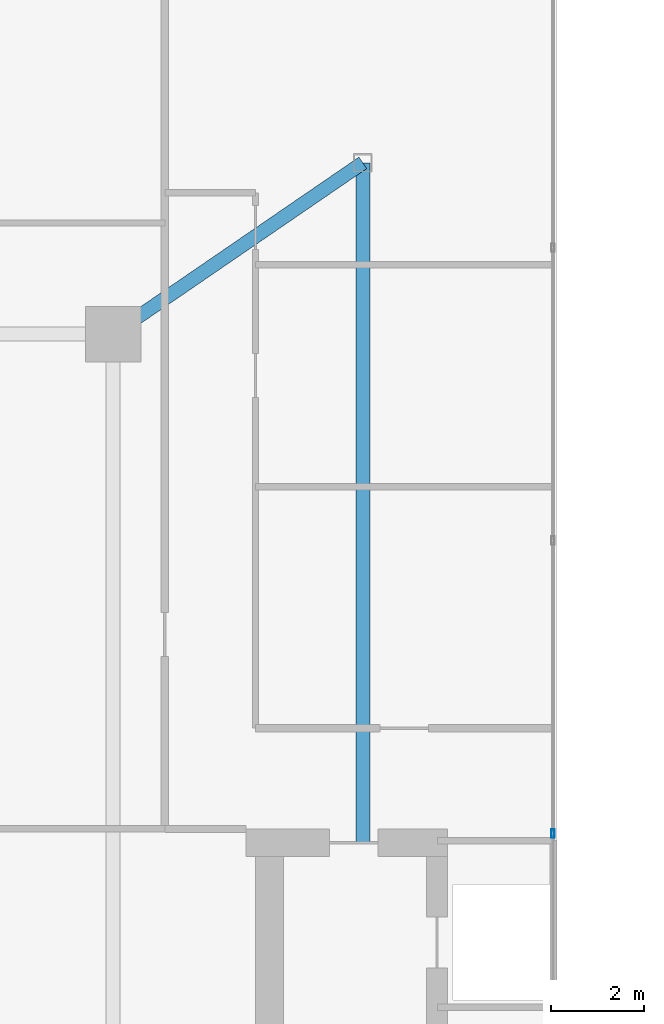
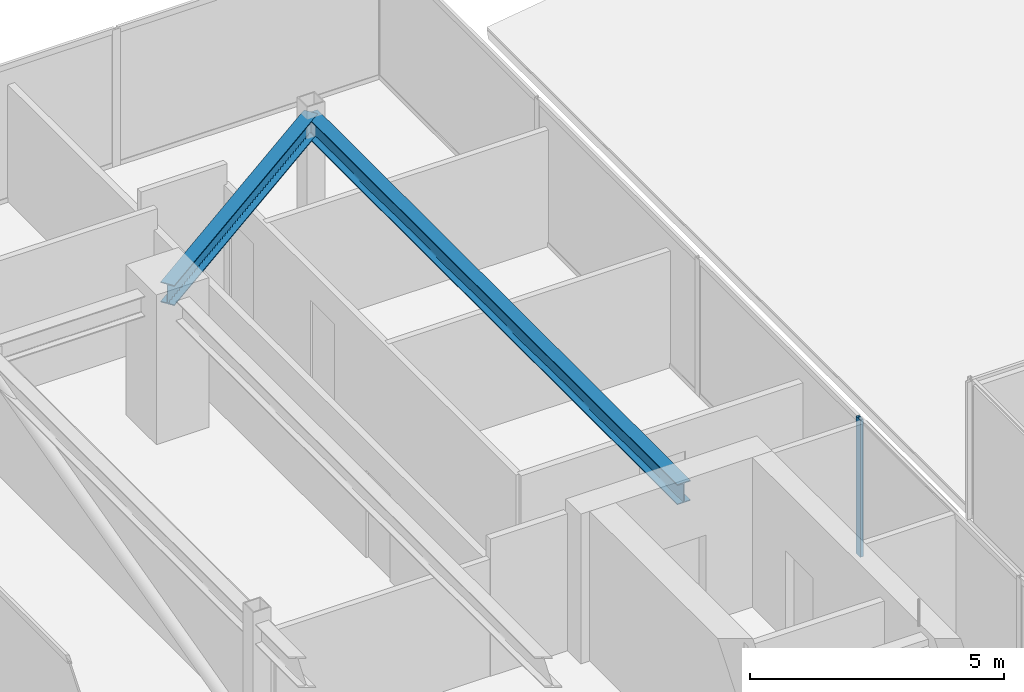
# One storey, part 10 of 16: 2 beams, 1 member, 1 element without a shape of its own.
"""IFC4 building model written with IfcOpenShell, lengths in metres."""

from ifc_helpers import new_model, si_unit, direction, frame, origin, origin_2d, place, context, subcontext, project, spatial, hollow_rectangle, i_section, extrude, source, transform, mapped, material, material_profile, profile_set, type_object, type_shapes, element, aggregate, save


model = new_model("IFC4")

# Units and contexts
model_context = context("Model", 3, precision=1e-05, world=origin(), true_north=direction((0.0, 1.0)))
body_context = subcontext(model_context, "Body", "Model", "MODEL_VIEW")
ifc_project = project(units=[si_unit("LENGTHUNIT", "METRE"), si_unit("AREAUNIT", "SQUARE_METRE"), si_unit("VOLUMEUNIT", "CUBIC_METRE"), si_unit("PLANEANGLEUNIT", "RADIAN"), si_unit("MASSUNIT", "GRAM", prefix="KILO")], contexts=[model_context])

# Site, building, storey
site_placement = place(None, origin())
site = spatial("IfcSite", under=ifc_project, at=site_placement, CompositionType="ELEMENT")
building_placement = place(site_placement, origin())
building = spatial("IfcBuilding", under=site, at=building_placement, Name="Krantzveldt Concourse Tower", CompositionType="ELEMENT")
storey_placement = place(building_placement, frame((0.0, 0.0, 378.25)))
storey = spatial("IfcBuildingStorey", under=building, at=storey_placement, Name="L93", CompositionType="ELEMENT", Elevation=378.25)

# Beams
ifc_material_1 = material(Name="Steel S355JR", Category="steel")
ifc_material_profile_1 = material_profile(ifc_material_1, i_section(OverallWidth=0.300048828125, OverallDepth=0.489990234375, WebThickness=0.011962890625, FlangeThickness=0.02294921875, FilletRadius=0.027099609375, at=origin_2d()), Name="Steel S355JR", Category="steel")
ifc_profile_set_1 = profile_set([ifc_material_profile_1], Name="Steel S355JR - HEA 500")
beam_type = type_object("IfcBeamType", Name="BM-B-HEA500", PredefinedType="BEAM", material=ifc_profile_set_1)
shared_shape_1 = source(origin(), body_context, "Body", "SweptSolid", [
    extrude(i_section(OverallWidth=0.300048828125, OverallDepth=0.489990234375, WebThickness=0.011962890625, FlangeThickness=0.02294921875, FilletRadius=0.027099609375, at=origin_2d()), origin(), (0.0, 0.0, 1.0), 6.546142578125),
])
beam_1_placement = place(storey_placement, frame((25.199951171875, 37.5, 3.054931640625), z_axis=(0.824942999484, 0.565215930068, 0.0), x_axis=(-0.565215930068, 0.824942999484, 0.0)))
element("IfcBeam", 1, at=beam_1_placement, inside=storey, type_object=beam_type, Name="L93 Crown Girder WEST-4", PredefinedType="BEAM", context=body_context, shape_type="MappedRepresentation", body=[
    mapped(shared_shape_1, transform((0.0, 0.0, 0.0), x_axis=(1.0, 0.0, 0.0), y_axis=(0.0, 1.0, 0.0), z_axis=(0.0, 0.0, 1.0), scale=1.0)),
])
shared_shape_2 = source(origin(), body_context, "Body", "SweptSolid", [
    extrude(i_section(OverallWidth=0.300048828125, OverallDepth=0.489990234375, WebThickness=0.011962890625, FlangeThickness=0.02294921875, FilletRadius=0.027099609375, at=origin_2d()), origin(), (0.0, 0.0, 1.0), 14.699951171875),
])
type_shapes(beam_type, [shared_shape_1, shared_shape_2])
beam_2_placement = place(storey_placement, frame((30.60009765625, 41.199951171875, 3.054931640625), z_axis=(0.0, -1.0, 0.0), x_axis=(1.0, 0.0, 0.0)))
element("IfcBeam", 2, at=beam_2_placement, inside=storey, type_object=beam_type, Name="L93 Crown Girder WEST-5", PredefinedType="BEAM", context=body_context, shape_type="MappedRepresentation", body=[
    mapped(shared_shape_2, transform((0.0, 0.0, 0.0), x_axis=(1.0, 0.0, 0.0), y_axis=(0.0, 1.0, 0.0), z_axis=(0.0, 0.0, 1.0), scale=1.0)),
])

# Curtain wall, member
ifc_material_2 = material(Name="Anodised aluminium 6063-T6", Category="aluminium")
curtain_wall_type = type_object("IfcCurtainWallType", Name="CW7", PredefinedType="USERDEFINED", material=ifc_material_2)
curtain_wall_placement = place(storey_placement, origin())
curtain_wall = element("IfcCurtainWall", 3, at=curtain_wall_placement, inside=storey, type_object=curtain_wall_type, Name="CW-L93-WEST-01", ObjectType="UNITISED CURTAIN WALL", PredefinedType="USERDEFINED")
ifc_material_profile_2 = material_profile(ifc_material_2, hollow_rectangle(XDim=0.070068359375, YDim=0.179931640625, WallThickness=0.0048828125, at=origin_2d()), Name="Anodised aluminium 6063-T6", Category="aluminium")
ifc_profile_set_2 = profile_set([ifc_material_profile_2], Name="Anodised aluminium 6063-T6 - ALU-MULL 180x70x5")
member_type = type_object("IfcMemberType", Name="CW-MUL-180", PredefinedType="MULLION", material=ifc_profile_set_2)
shared_shape_3 = source(origin(), body_context, "Body", "SweptSolid", [
    extrude(hollow_rectangle(XDim=0.070068359375, YDim=0.179931640625, WallThickness=0.0048828125, at=origin_2d()), origin(), (0.0, 0.0, 1.0), 3.300048828125),
])
type_shapes(member_type, [shared_shape_3])
member_placement = place(storey_placement, frame((34.7099609375, 26.699951171875, 0.0), z_axis=(0.0, 0.0, 1.0), x_axis=(-1.0, 0.0, 0.0)))
member = element("IfcMember", 4, at=member_placement, type_object=member_type, Name="CW-CRN mullion 4", PredefinedType="MULLION", context=body_context, shape_type="MappedRepresentation", body=[
    mapped(shared_shape_3, transform((0.0, 0.0, 0.0), x_axis=(1.0, 0.0, 0.0), y_axis=(0.0, 1.0, 0.0), z_axis=(0.0, 0.0, 1.0), scale=1.0)),
])
aggregate(curtain_wall, [member])

save(model, "model.ifc")
